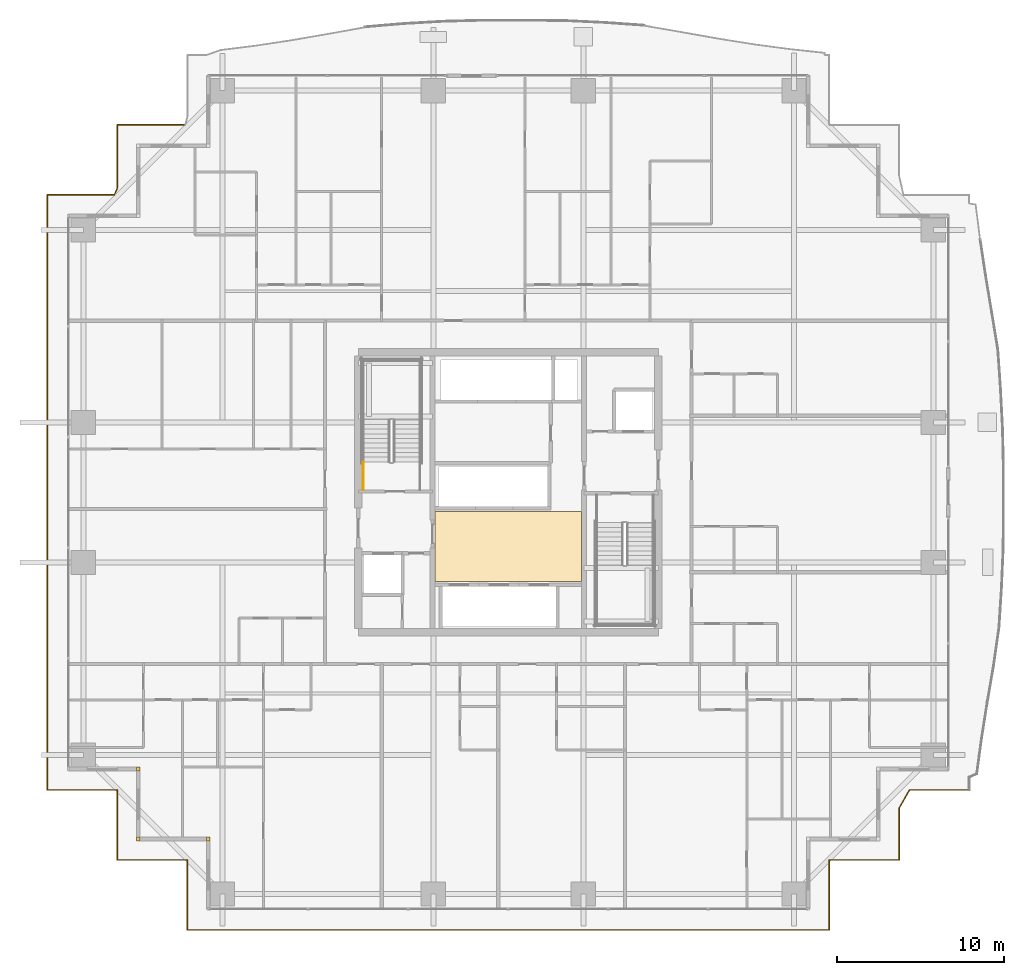
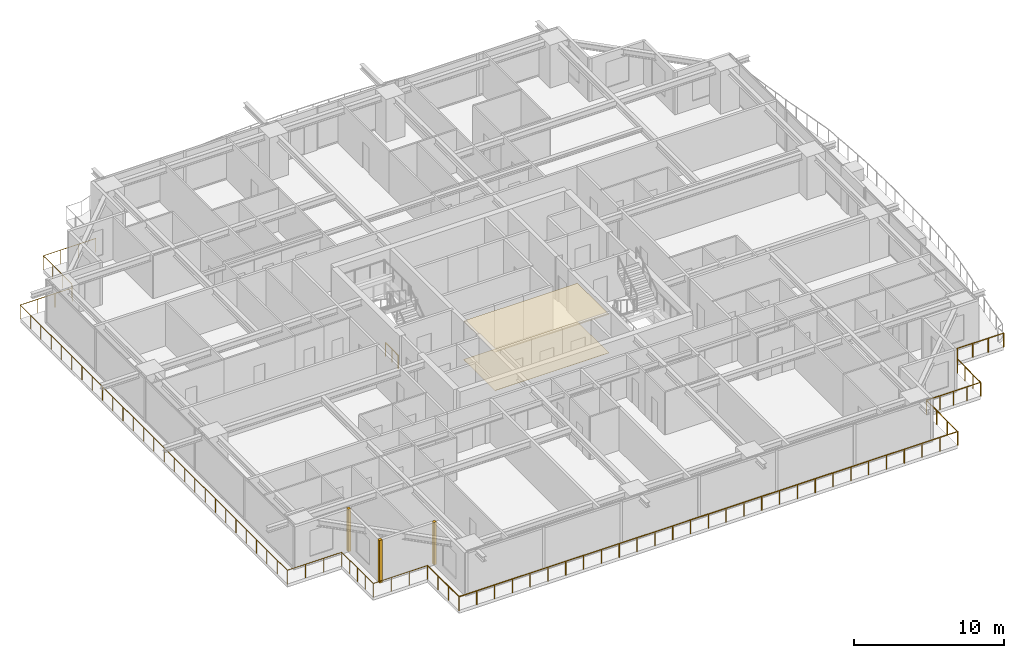
# One storey, part 34 of 38: 5 coverings, 3 railings.
"""IFC4 building model written with IfcOpenShell, lengths in metres."""

from ifc_helpers import new_model, si_unit, direction, frame, origin, origin_2d, place, context, subcontext, project, spatial, polyline, rectangle, circle, outline, extrude, source, transform, mapped, material, layer, layer_set, type_object, element, save


model = new_model("IFC4")

# Units and contexts
model_context = context("Model", 3, precision=1e-05, world=origin(), true_north=direction((0.0, 1.0)))
body_context = subcontext(model_context, "Body", "Model", "MODEL_VIEW")
ifc_project = project(units=[si_unit("LENGTHUNIT", "METRE"), si_unit("AREAUNIT", "SQUARE_METRE"), si_unit("VOLUMEUNIT", "CUBIC_METRE"), si_unit("PLANEANGLEUNIT", "RADIAN"), si_unit("MASSUNIT", "GRAM", prefix="KILO")], contexts=[model_context])

# Site, building, storey
site_placement = place(None, origin())
site = spatial("IfcSite", under=ifc_project, at=site_placement, CompositionType="ELEMENT")
building_placement = place(site_placement, origin())
building = spatial("IfcBuilding", under=site, at=building_placement, Name="Serunith Strait Residences", CompositionType="ELEMENT")
storey_placement = place(building_placement, frame((0.0, 0.0, 67.949951171875)))
storey = spatial("IfcBuildingStorey", under=building, at=storey_placement, Name="L16", CompositionType="ELEMENT", Elevation=67.949951171875)

# Coverings
ifc_material_1 = material(Name="Perforated acoustic gypsum ceiling tile")
ifc_layer_1 = layer(ifc_material_1, 0.02490234375, Name="Perforated acoustic gypsum ceiling tile")
ifc_layer_set_1 = layer_set([ifc_layer_1], Name="Perforated acoustic gypsum ceiling tile")
covering_type_1 = type_object("IfcCoveringType", Name="COV-CEIL-AC60", PredefinedType="CEILING", material=ifc_layer_set_1)
covering_1_placement = place(storey_placement, frame((0.0, 0.0, 3.14013671875)))
element("IfcCovering", 1, at=covering_1_placement, inside=storey, type_object=covering_type_1, Name="L16 Lift Lobby Acoustic Ceiling", PredefinedType="CEILING", context=body_context, shape_type="SweptSolid", body=[
    extrude(outline(polyline([(28.0, 19.85009765625), (36.800048828125, 19.85009765625), (36.800048828125, 24.050048828125), (28.0, 24.050048828125), (28.0, 19.85009765625)])), origin(), (0.0, 0.0, 1.0), 0.02490234375),
])
ifc_material_2 = material(Name="Honed limestone terrazzo flooring", Category="masonry")
ifc_layer_2 = layer(ifc_material_2, 0.02001953125, Name="Honed limestone terrazzo flooring")
ifc_layer_set_2 = layer_set([ifc_layer_2], Name="Honed limestone terrazzo flooring")
covering_type_2 = type_object("IfcCoveringType", Name="COV-FLOOR-TER40", PredefinedType="FLOORING", material=ifc_layer_set_2)
covering_2_placement = place(storey_placement, origin())
element("IfcCovering", 2, at=covering_2_placement, inside=storey, type_object=covering_type_2, Name="L16 Lift Lobby Terrazzo Flooring", PredefinedType="FLOORING", context=body_context, shape_type="SweptSolid", body=[
    extrude(outline(polyline([(28.0, 19.85009765625), (36.800048828125, 19.85009765625), (36.800048828125, 24.050048828125), (28.0, 24.050048828125), (28.0, 19.85009765625)])), origin(), (0.0, 0.0, 1.0), 0.02001953125),
])

# Railings
ifc_material_3 = material(Name="Stainless Steel & Laminated Glass Balustrade", Category="steel")
railing_type_1 = type_object("IfcRailingType", Name="RLG-BALC-1150", PredefinedType="BALUSTRADE", material=ifc_material_3)
railing_1_placement = place(storey_placement, frame((60.06005859375, 7.340087890625, -0.050048828125)))
element("IfcRailing", 3, at=railing_1_placement, inside=storey, type_object=railing_type_1, Name="L16 Swirling Balcony Perimeter Balustrade 7", PredefinedType="BALUSTRADE", context=body_context, shape_type="SweptSolid", body=[
    extrude(circle(Radius=0.02392578125, at=origin_2d()), frame((-0.001953125, 0.0, 1.1259765625), z_axis=(-1.0, 0.0, 0.0), x_axis=(0.0, -1.0, 0.0)), (0.0, 0.0, 1.0), 3.578857421875),
    extrude(circle(Radius=0.02392578125, at=origin_2d()), frame((-3.583740234375, -0.001708984375, 1.1259765625), z_axis=(-0.496900790831, -0.867807354239, 0.0), x_axis=(0.867807354239, -0.496900790831, 0.0)), (0.0, 0.0, 1.0), 1.238037109375),
    extrude(circle(Radius=0.02392578125, at=origin_2d()), frame((-4.199951171875, -1.079833984375, 1.1259765625), z_axis=(0.0, -1.0, 0.0), x_axis=(1.0, 0.0, 0.0)), (0.0, 0.0, 1.0), 3.118408203125),
    extrude(circle(Radius=0.02392578125, at=origin_2d()), frame((-4.201904296875, -4.2001953125, 1.1259765625), z_axis=(-1.0, 0.0, 0.0), x_axis=(0.0, -1.0, 0.0)), (0.0, 0.0, 1.0), 4.1962890625),
    extrude(circle(Radius=0.02392578125, at=origin_2d()), frame((-8.400146484375, -4.2021484375, 1.1259765625), z_axis=(0.0, -1.0, 0.0), x_axis=(1.0, 0.0, 0.0)), (0.0, 0.0, 1.0), 4.196044921875),
    extrude(circle(Radius=0.02392578125, at=origin_2d()), frame((-8.402099609375, -8.400146484375, 1.1259765625), z_axis=(-1.0, 0.0, 0.0), x_axis=(0.0, -1.0, 0.0)), (0.0, 0.0, 1.0), 38.51611328125),
    extrude(circle(Radius=0.02392578125, at=origin_2d()), frame((-46.920166015625, -8.398193359375, 1.1259765625), z_axis=(0.0, 1.0, 0.0), x_axis=(-1.0, 0.0, 0.0)), (0.0, 0.0, 1.0), 4.196044921875),
    extrude(circle(Radius=0.02099609375, at=origin_2d()), origin(), (0.0, 0.0, 1.0), 1.099853515625),
    extrude(circle(Radius=0.02099609375, at=origin_2d()), frame((-1.1943359375, 0.0, 0.0)), (0.0, 0.0, 1.0), 1.099853515625),
    extrude(circle(Radius=0.02099609375, at=origin_2d()), frame((-2.388427734375, 0.0, 0.0)), (0.0, 0.0, 1.0), 1.099853515625),
    extrude(circle(Radius=0.02099609375, at=origin_2d()), frame((-3.582763671875, 0.0, 0.0)), (0.0, 0.0, 1.0), 1.099853515625),
    extrude(circle(Radius=0.02099609375, at=origin_2d()), frame((-4.199951171875, -1.077880859375, 0.0)), (0.0, 0.0, 1.0), 1.099853515625),
    extrude(circle(Radius=0.02099609375, at=origin_2d()), frame((-4.199951171875, -2.11865234375, 0.0)), (0.0, 0.0, 1.0), 1.099853515625),
    extrude(circle(Radius=0.02099609375, at=origin_2d()), frame((-4.199951171875, -3.159423828125, 0.0)), (0.0, 0.0, 1.0), 1.099853515625),
    extrude(circle(Radius=0.02099609375, at=origin_2d()), frame((-4.199951171875, -4.2001953125, 0.0)), (0.0, 0.0, 1.0), 1.099853515625),
    extrude(circle(Radius=0.02099609375, at=origin_2d()), frame((-5.25, -4.2001953125, 0.0)), (0.0, 0.0, 1.0), 1.099853515625),
    extrude(circle(Radius=0.02099609375, at=origin_2d()), frame((-6.300048828125, -4.2001953125, 0.0)), (0.0, 0.0, 1.0), 1.099853515625),
    extrude(circle(Radius=0.02099609375, at=origin_2d()), frame((-7.35009765625, -4.2001953125, 0.0)), (0.0, 0.0, 1.0), 1.099853515625),
    extrude(circle(Radius=0.02099609375, at=origin_2d()), frame((-8.400146484375, -4.2001953125, 0.0)), (0.0, 0.0, 1.0), 1.099853515625),
    extrude(circle(Radius=0.02099609375, at=origin_2d()), frame((-8.400146484375, -5.60009765625, 0.0)), (0.0, 0.0, 1.0), 1.099853515625),
    extrude(circle(Radius=0.02099609375, at=origin_2d()), frame((-8.400146484375, -7.000244140625, 0.0)), (0.0, 0.0, 1.0), 1.099853515625),
    extrude(circle(Radius=0.02099609375, at=origin_2d()), frame((-8.400146484375, -8.400146484375, 0.0)), (0.0, 0.0, 1.0), 1.099853515625),
    extrude(circle(Radius=0.02099609375, at=origin_2d()), frame((-9.77587890625, -8.400146484375, 0.0)), (0.0, 0.0, 1.0), 1.099853515625),
    extrude(circle(Radius=0.02099609375, at=origin_2d()), frame((-11.151611328125, -8.400146484375, 0.0)), (0.0, 0.0, 1.0), 1.099853515625),
    extrude(circle(Radius=0.02099609375, at=origin_2d()), frame((-12.52734375, -8.400146484375, 0.0)), (0.0, 0.0, 1.0), 1.099853515625),
    extrude(circle(Radius=0.02099609375, at=origin_2d()), frame((-13.903076171875, -8.400146484375, 0.0)), (0.0, 0.0, 1.0), 1.099853515625),
    extrude(circle(Radius=0.02099609375, at=origin_2d()), frame((-15.27880859375, -8.400146484375, 0.0)), (0.0, 0.0, 1.0), 1.099853515625),
    extrude(circle(Radius=0.02099609375, at=origin_2d()), frame((-16.654541015625, -8.400146484375, 0.0)), (0.0, 0.0, 1.0), 1.099853515625),
    extrude(circle(Radius=0.02099609375, at=origin_2d()), frame((-18.0302734375, -8.400146484375, 0.0)), (0.0, 0.0, 1.0), 1.099853515625),
    extrude(circle(Radius=0.02099609375, at=origin_2d()), frame((-19.40576171875, -8.400146484375, 0.0)), (0.0, 0.0, 1.0), 1.099853515625),
    extrude(circle(Radius=0.02099609375, at=origin_2d()), frame((-20.781494140625, -8.400146484375, 0.0)), (0.0, 0.0, 1.0), 1.099853515625),
    extrude(circle(Radius=0.02099609375, at=origin_2d()), frame((-22.1572265625, -8.400146484375, 0.0)), (0.0, 0.0, 1.0), 1.099853515625),
    extrude(circle(Radius=0.02099609375, at=origin_2d()), frame((-23.532958984375, -8.400146484375, 0.0)), (0.0, 0.0, 1.0), 1.099853515625),
    extrude(circle(Radius=0.02099609375, at=origin_2d()), frame((-24.90869140625, -8.400146484375, 0.0)), (0.0, 0.0, 1.0), 1.099853515625),
    extrude(circle(Radius=0.02099609375, at=origin_2d()), frame((-26.284423828125, -8.400146484375, 0.0)), (0.0, 0.0, 1.0), 1.099853515625),
    extrude(circle(Radius=0.02099609375, at=origin_2d()), frame((-27.66015625, -8.400146484375, 0.0)), (0.0, 0.0, 1.0), 1.099853515625),
    extrude(circle(Radius=0.02099609375, at=origin_2d()), frame((-29.035888671875, -8.400146484375, 0.0)), (0.0, 0.0, 1.0), 1.099853515625),
    extrude(circle(Radius=0.02099609375, at=origin_2d()), frame((-30.41162109375, -8.400146484375, 0.0)), (0.0, 0.0, 1.0), 1.099853515625),
    extrude(circle(Radius=0.02099609375, at=origin_2d()), frame((-31.787353515625, -8.400146484375, 0.0)), (0.0, 0.0, 1.0), 1.099853515625),
    extrude(circle(Radius=0.02099609375, at=origin_2d()), frame((-33.1630859375, -8.400146484375, 0.0)), (0.0, 0.0, 1.0), 1.099853515625),
    extrude(circle(Radius=0.02099609375, at=origin_2d()), frame((-34.538818359375, -8.400146484375, 0.0)), (0.0, 0.0, 1.0), 1.099853515625),
    extrude(circle(Radius=0.02099609375, at=origin_2d()), frame((-35.91455078125, -8.400146484375, 0.0)), (0.0, 0.0, 1.0), 1.099853515625),
    extrude(circle(Radius=0.02099609375, at=origin_2d()), frame((-37.2900390625, -8.400146484375, 0.0)), (0.0, 0.0, 1.0), 1.099853515625),
    extrude(circle(Radius=0.02099609375, at=origin_2d()), frame((-38.665771484375, -8.400146484375, 0.0)), (0.0, 0.0, 1.0), 1.099853515625),
    extrude(circle(Radius=0.02099609375, at=origin_2d()), frame((-40.04150390625, -8.400146484375, 0.0)), (0.0, 0.0, 1.0), 1.099853515625),
    extrude(circle(Radius=0.02099609375, at=origin_2d()), frame((-41.417236328125, -8.400146484375, 0.0)), (0.0, 0.0, 1.0), 1.099853515625),
    extrude(circle(Radius=0.02099609375, at=origin_2d()), frame((-42.79296875, -8.400146484375, 0.0)), (0.0, 0.0, 1.0), 1.099853515625),
    extrude(circle(Radius=0.02099609375, at=origin_2d()), frame((-44.168701171875, -8.400146484375, 0.0)), (0.0, 0.0, 1.0), 1.099853515625),
    extrude(circle(Radius=0.02099609375, at=origin_2d()), frame((-45.54443359375, -8.400146484375, 0.0)), (0.0, 0.0, 1.0), 1.099853515625),
    extrude(circle(Radius=0.02099609375, at=origin_2d()), frame((-46.920166015625, -8.400146484375, 0.0)), (0.0, 0.0, 1.0), 1.099853515625),
    extrude(circle(Radius=0.02099609375, at=origin_2d()), frame((-46.920166015625, -7.000244140625, 0.0)), (0.0, 0.0, 1.0), 1.099853515625),
    extrude(circle(Radius=0.02099609375, at=origin_2d()), frame((-46.920166015625, -5.60009765625, 0.0)), (0.0, 0.0, 1.0), 1.099853515625),
    extrude(circle(Radius=0.02099609375, at=origin_2d()), frame((-46.920166015625, -4.2001953125, 0.0)), (0.0, 0.0, 1.0), 1.099853515625),
])
railing_2_placement = place(storey_placement, frame((13.139892578125, 3.139892578125, -0.050048828125)))
element("IfcRailing", 4, at=railing_2_placement, inside=storey, type_object=railing_type_1, Name="L16 Swirling Balcony Perimeter Balustrade 8", PredefinedType="BALUSTRADE", context=body_context, shape_type="SweptSolid", body=[
    extrude(circle(Radius=0.02392578125, at=origin_2d()), frame((-0.001953125, 0.0, 1.1259765625), z_axis=(-1.0, 0.0, 0.0), x_axis=(0.0, -1.0, 0.0)), (0.0, 0.0, 1.0), 4.196044921875),
    extrude(circle(Radius=0.02392578125, at=origin_2d()), frame((-4.199951171875, 0.001953125, 1.1259765625), z_axis=(0.0, 1.0, 0.0), x_axis=(-1.0, 0.0, 0.0)), (0.0, 0.0, 1.0), 4.1962890625),
    extrude(circle(Radius=0.02392578125, at=origin_2d()), frame((-4.201904296875, 4.2001953125, 1.1259765625), z_axis=(-1.0, 0.0, 0.0), x_axis=(0.0, -1.0, 0.0)), (0.0, 0.0, 1.0), 4.196044921875),
    extrude(circle(Radius=0.02392578125, at=origin_2d()), frame((-8.39990234375, 4.2021484375, 1.1259765625), z_axis=(0.0, 1.0, 0.0), x_axis=(-1.0, 0.0, 0.0)), (0.0, 0.0, 1.0), 35.716064453125),
    extrude(circle(Radius=0.02392578125, at=origin_2d()), frame((-8.39794921875, 39.920166015625, 1.1259765625), z_axis=(1.0, 0.0, 0.0), x_axis=(0.0, 1.0, 0.0)), (0.0, 0.0, 1.0), 4.014892578125),
    extrude(circle(Radius=0.02392578125, at=origin_2d()), frame((-4.38037109375, 39.921875, 1.1259765625), z_axis=(0.414518347731, 0.91004095479, 0.0), x_axis=(-0.91004095479, 0.414518347731, 0.0)), (0.0, 0.0, 1.0), 0.43310546875),
    extrude(circle(Radius=0.02392578125, at=origin_2d()), frame((-4.199951171875, 40.31982421875, 1.1259765625), z_axis=(0.0, 1.0, 0.0), x_axis=(-1.0, 0.0, 0.0)), (0.0, 0.0, 1.0), 3.79833984375),
    extrude(circle(Radius=0.02392578125, at=origin_2d()), frame((-4.197998046875, 44.1201171875, 1.1259765625), z_axis=(1.0, 0.0, 0.0), x_axis=(0.0, 1.0, 0.0)), (0.0, 0.0, 1.0), 4.059326171875),
    extrude(circle(Radius=0.02099609375, at=origin_2d()), origin(), (0.0, 0.0, 1.0), 1.099853515625),
    extrude(circle(Radius=0.02099609375, at=origin_2d()), frame((-1.39990234375, 0.0, 0.0)), (0.0, 0.0, 1.0), 1.099853515625),
    extrude(circle(Radius=0.02099609375, at=origin_2d()), frame((-2.800048828125, 0.0, 0.0)), (0.0, 0.0, 1.0), 1.099853515625),
    extrude(circle(Radius=0.02099609375, at=origin_2d()), frame((-4.199951171875, 0.0, 0.0)), (0.0, 0.0, 1.0), 1.099853515625),
    extrude(circle(Radius=0.02099609375, at=origin_2d()), frame((-4.199951171875, 1.050048828125, 0.0)), (0.0, 0.0, 1.0), 1.099853515625),
    extrude(circle(Radius=0.02099609375, at=origin_2d()), frame((-4.199951171875, 2.10009765625, 0.0)), (0.0, 0.0, 1.0), 1.099853515625),
    extrude(circle(Radius=0.02099609375, at=origin_2d()), frame((-4.199951171875, 3.150146484375, 0.0)), (0.0, 0.0, 1.0), 1.099853515625),
    extrude(circle(Radius=0.02099609375, at=origin_2d()), frame((-4.199951171875, 4.2001953125, 0.0)), (0.0, 0.0, 1.0), 1.099853515625),
    extrude(circle(Radius=0.02099609375, at=origin_2d()), frame((-5.599853515625, 4.2001953125, 0.0)), (0.0, 0.0, 1.0), 1.099853515625),
    extrude(circle(Radius=0.02099609375, at=origin_2d()), frame((-7.0, 4.2001953125, 0.0)), (0.0, 0.0, 1.0), 1.099853515625),
    extrude(circle(Radius=0.02099609375, at=origin_2d()), frame((-8.39990234375, 4.2001953125, 0.0)), (0.0, 0.0, 1.0), 1.099853515625),
    extrude(circle(Radius=0.02099609375, at=origin_2d()), frame((-8.39990234375, 5.573974609375, 0.0)), (0.0, 0.0, 1.0), 1.099853515625),
    extrude(circle(Radius=0.02099609375, at=origin_2d()), frame((-8.39990234375, 6.947998046875, 0.0)), (0.0, 0.0, 1.0), 1.099853515625),
    extrude(circle(Radius=0.02099609375, at=origin_2d()), frame((-8.39990234375, 8.32177734375, 0.0)), (0.0, 0.0, 1.0), 1.099853515625),
    extrude(circle(Radius=0.02099609375, at=origin_2d()), frame((-8.39990234375, 9.695556640625, 0.0)), (0.0, 0.0, 1.0), 1.099853515625),
    extrude(circle(Radius=0.02099609375, at=origin_2d()), frame((-8.39990234375, 11.0693359375, 0.0)), (0.0, 0.0, 1.0), 1.099853515625),
    extrude(circle(Radius=0.02099609375, at=origin_2d()), frame((-8.39990234375, 12.443359375, 0.0)), (0.0, 0.0, 1.0), 1.099853515625),
    extrude(circle(Radius=0.02099609375, at=origin_2d()), frame((-8.39990234375, 13.817138671875, 0.0)), (0.0, 0.0, 1.0), 1.099853515625),
    extrude(circle(Radius=0.02099609375, at=origin_2d()), frame((-8.39990234375, 15.19091796875, 0.0)), (0.0, 0.0, 1.0), 1.099853515625),
    extrude(circle(Radius=0.02099609375, at=origin_2d()), frame((-8.39990234375, 16.564697265625, 0.0)), (0.0, 0.0, 1.0), 1.099853515625),
    extrude(circle(Radius=0.02099609375, at=origin_2d()), frame((-8.39990234375, 17.938720703125, 0.0)), (0.0, 0.0, 1.0), 1.099853515625),
    extrude(circle(Radius=0.02099609375, at=origin_2d()), frame((-8.39990234375, 19.3125, 0.0)), (0.0, 0.0, 1.0), 1.099853515625),
    extrude(circle(Radius=0.02099609375, at=origin_2d()), frame((-8.39990234375, 20.686279296875, 0.0)), (0.0, 0.0, 1.0), 1.099853515625),
    extrude(circle(Radius=0.02099609375, at=origin_2d()), frame((-8.39990234375, 22.06005859375, 0.0)), (0.0, 0.0, 1.0), 1.099853515625),
    extrude(circle(Radius=0.02099609375, at=origin_2d()), frame((-8.39990234375, 23.43408203125, 0.0)), (0.0, 0.0, 1.0), 1.099853515625),
    extrude(circle(Radius=0.02099609375, at=origin_2d()), frame((-8.39990234375, 24.807861328125, 0.0)), (0.0, 0.0, 1.0), 1.099853515625),
    extrude(circle(Radius=0.02099609375, at=origin_2d()), frame((-8.39990234375, 26.181640625, 0.0)), (0.0, 0.0, 1.0), 1.099853515625),
    extrude(circle(Radius=0.02099609375, at=origin_2d()), frame((-8.39990234375, 27.5556640625, 0.0)), (0.0, 0.0, 1.0), 1.099853515625),
    extrude(circle(Radius=0.02099609375, at=origin_2d()), frame((-8.39990234375, 28.929443359375, 0.0)), (0.0, 0.0, 1.0), 1.099853515625),
    extrude(circle(Radius=0.02099609375, at=origin_2d()), frame((-8.39990234375, 30.30322265625, 0.0)), (0.0, 0.0, 1.0), 1.099853515625),
    extrude(circle(Radius=0.02099609375, at=origin_2d()), frame((-8.39990234375, 31.677001953125, 0.0)), (0.0, 0.0, 1.0), 1.099853515625),
    extrude(circle(Radius=0.02099609375, at=origin_2d()), frame((-8.39990234375, 33.051025390625, 0.0)), (0.0, 0.0, 1.0), 1.099853515625),
    extrude(circle(Radius=0.02099609375, at=origin_2d()), frame((-8.39990234375, 34.4248046875, 0.0)), (0.0, 0.0, 1.0), 1.099853515625),
    extrude(circle(Radius=0.02099609375, at=origin_2d()), frame((-8.39990234375, 35.798583984375, 0.0)), (0.0, 0.0, 1.0), 1.099853515625),
    extrude(circle(Radius=0.02099609375, at=origin_2d()), frame((-8.39990234375, 37.17236328125, 0.0)), (0.0, 0.0, 1.0), 1.099853515625),
    extrude(circle(Radius=0.02099609375, at=origin_2d()), frame((-8.39990234375, 38.54638671875, 0.0)), (0.0, 0.0, 1.0), 1.099853515625),
    extrude(circle(Radius=0.02099609375, at=origin_2d()), frame((-8.39990234375, 39.920166015625, 0.0)), (0.0, 0.0, 1.0), 1.099853515625),
    extrude(circle(Radius=0.02099609375, at=origin_2d()), frame((-7.060302734375, 39.920166015625, 0.0)), (0.0, 0.0, 1.0), 1.099853515625),
    extrude(circle(Radius=0.02099609375, at=origin_2d()), frame((-5.720703125, 39.920166015625, 0.0)), (0.0, 0.0, 1.0), 1.099853515625),
    extrude(circle(Radius=0.02099609375, at=origin_2d()), frame((-4.381103515625, 39.920166015625, 0.0)), (0.0, 0.0, 1.0), 1.099853515625),
    extrude(circle(Radius=0.02099609375, at=origin_2d()), frame((-4.199951171875, 40.31787109375, 0.0)), (0.0, 0.0, 1.0), 1.099853515625),
    extrude(circle(Radius=0.02099609375, at=origin_2d()), frame((-4.199951171875, 41.585205078125, 0.0)), (0.0, 0.0, 1.0), 1.099853515625),
    extrude(circle(Radius=0.02099609375, at=origin_2d()), frame((-4.199951171875, 42.852783203125, 0.0)), (0.0, 0.0, 1.0), 1.099853515625),
    extrude(circle(Radius=0.02099609375, at=origin_2d()), frame((-4.199951171875, 44.1201171875, 0.0)), (0.0, 0.0, 1.0), 1.099853515625),
    extrude(circle(Radius=0.02099609375, at=origin_2d()), frame((-2.845458984375, 44.1201171875, 0.0)), (0.0, 0.0, 1.0), 1.099853515625),
    extrude(circle(Radius=0.02099609375, at=origin_2d()), frame((-1.4912109375, 44.1201171875, 0.0)), (0.0, 0.0, 1.0), 1.099853515625),
    extrude(circle(Radius=0.02099609375, at=origin_2d()), frame((-0.13671875, 44.1201171875, 0.0)), (0.0, 0.0, 1.0), 1.099853515625),
])
ifc_material_4 = material(Name="Brushed stainless steel 316L", Category="steel")
railing_type_2 = type_object("IfcRailingType", Name="RLG-STAIR-GUARD", PredefinedType="BALUSTRADE", material=ifc_material_4)
railing_3_placement = place(storey_placement, frame((23.699951171875, 25.35009765625, 0.0)))
element("IfcRailing", 5, at=railing_3_placement, inside=storey, type_object=railing_type_2, Name="L16 ST-1 stair guard 9", PredefinedType="BALUSTRADE", context=body_context, shape_type="SweptSolid", body=[
    extrude(circle(Radius=0.02392578125, at=origin_2d()), frame((0.0, 0.001953125, 1.076171875), z_axis=(0.0, 1.0, 0.0), x_axis=(-1.0, 0.0, 0.0)), (0.0, 0.0, 1.0), 1.676025390625),
    extrude(circle(Radius=0.02099609375, at=origin_2d()), origin(), (0.0, 0.0, 1.0), 1.050048828125),
    extrude(circle(Radius=0.02099609375, at=origin_2d()), frame((0.0, 0.83984375, 0.0)), (0.0, 0.0, 1.0), 1.050048828125),
    extrude(circle(Radius=0.02099609375, at=origin_2d()), frame((0.0, 1.679931640625, 0.0)), (0.0, 0.0, 1.0), 1.050048828125),
])

# Coverings
ifc_material_5 = material(Name="Pale-Champagne Anodised Aluminium", Category="aluminium")
ifc_layer_3 = layer(ifc_material_5, 0.219970703125, Name="Pale-Champagne Anodised Aluminium")
ifc_layer_set_3 = layer_set([ifc_layer_3], Name="Pale-Champagne Anodised Aluminium")
covering_type_3 = type_object("IfcCoveringType", Name="COV-CORN-TRIM", PredefinedType="CLADDING", material=ifc_layer_set_3)
shared_shape = source(origin(), body_context, "Body", "SweptSolid", [
    extrude(rectangle(XDim=0.221923828125, YDim=0.221923828125, at=origin_2d()), origin(), (0.0, 0.0, 1.0), 3.47509765625),
])
for number, where, z_axis, x_axis, name in (
    (6, (10.199951171875, 8.60009765625, 0.0), (0.0, 0.0, 1.0), (1.0, 0.0, 0.0), "L16 Girih Serrated Corner Trim Post 17"),
    (7, (10.199951171875, 4.39990234375, 0.0), (0.0, 0.0, 1.0), (1.0, 0.0, 0.0), "L16 Girih Serrated Corner Trim Post 18"),
    (8, (14.39990234375, 4.39990234375, 0.0), (0.0, 0.0, 1.0), (1.0, 0.0, 0.0), "L16 Girih Serrated Corner Trim Post 19"),
):
    element("IfcCovering", number, at=place(storey_placement, frame(where, z_axis=z_axis, x_axis=x_axis)), inside=storey, type_object=covering_type_3, Name=name, PredefinedType="CLADDING", context=body_context, shape_type="MappedRepresentation", body=[
        mapped(shared_shape, transform((0.0, 0.0, 0.0), scale=1.0)),
    ])

save(model, "model.ifc")
